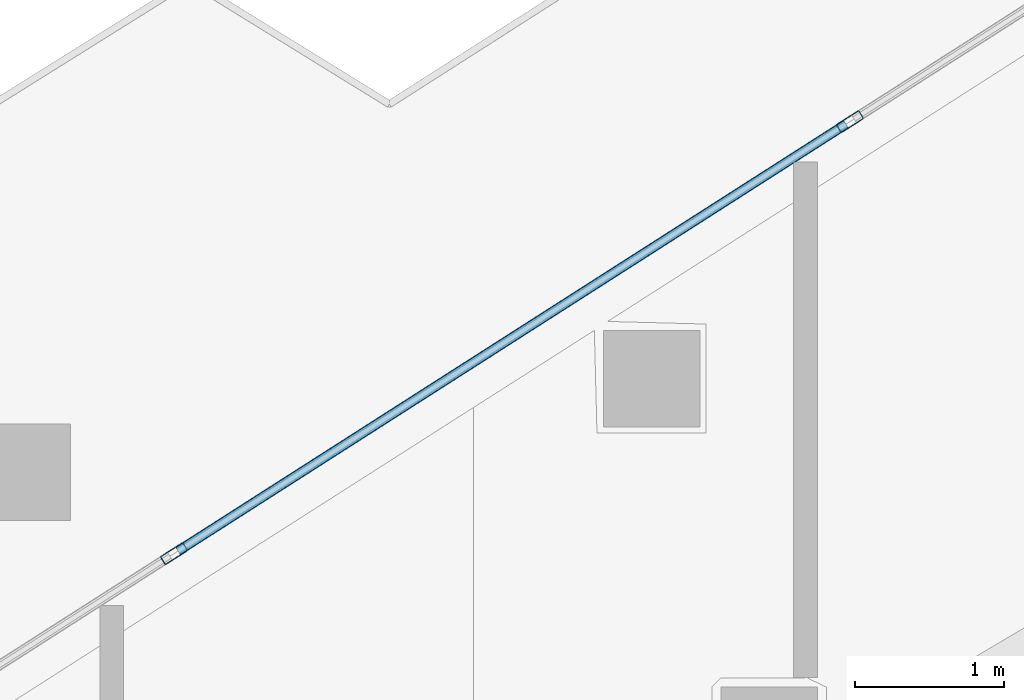
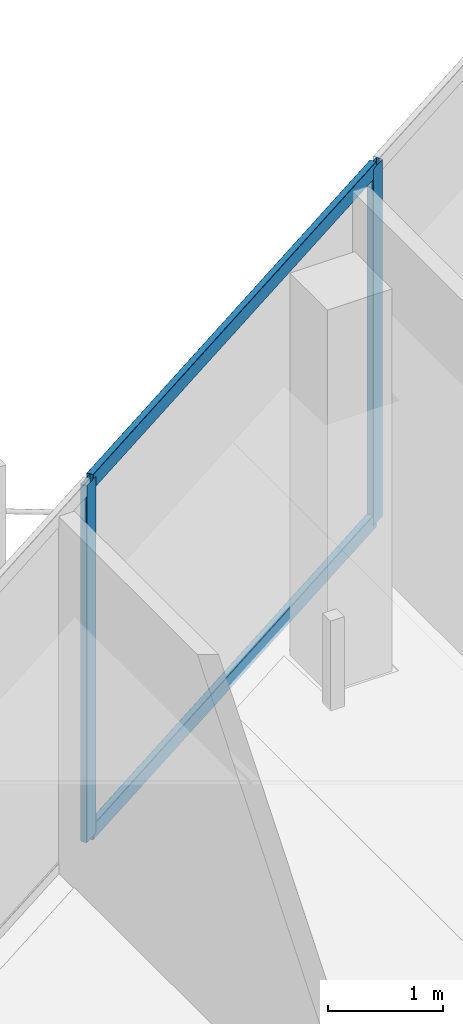
# One storey, part 18 of 39: 4 members, 1 element without a shape of its own.
"""IFC4 building model written with IfcOpenShell, lengths in metres."""

from ifc_helpers import new_model, si_unit, direction, frame, origin, origin_2d, place, context, subcontext, project, spatial, hollow_rectangle, extrude, material, layer, layer_set, material_profile, profile_set, type_object, element, aggregate, save


model = new_model("IFC4")

# Units and contexts
model_context = context("Model", 3, precision=1e-05, world=origin(), true_north=direction((0.0, 1.0)))
body_context = subcontext(model_context, "Body", "Model", "MODEL_VIEW")
ifc_project = project(units=[si_unit("LENGTHUNIT", "METRE"), si_unit("AREAUNIT", "SQUARE_METRE"), si_unit("VOLUMEUNIT", "CUBIC_METRE"), si_unit("PLANEANGLEUNIT", "RADIAN"), si_unit("MASSUNIT", "GRAM", prefix="KILO")], contexts=[model_context])

# Site, building, storey
site_placement = place(None, origin())
site = spatial("IfcSite", under=ifc_project, at=site_placement, CompositionType="ELEMENT")
building_placement = place(site_placement, origin())
building = spatial("IfcBuilding", under=site, at=building_placement, Name="Qorvath Tower", CompositionType="ELEMENT")
storey_placement = place(building_placement, frame((0.0, 0.0, 142.199951171875)))
storey = spatial("IfcBuildingStorey", under=building, at=storey_placement, Name="L32", CompositionType="ELEMENT", Elevation=142.199951171875)

# Curtain wall, members
ifc_material_1 = material(Name="Anodised aluminium and triple low-E glass", Category="aluminium")
ifc_layer = layer(ifc_material_1, 0.179931640625)
ifc_layer_set = layer_set([ifc_layer], Name="CW-SYS-3")
curtain_wall_type = type_object("IfcCurtainWallType", Name="CW-SYS-3", PredefinedType="NOTDEFINED", material=ifc_layer_set)
curtain_wall_placement = place(storey_placement, origin())
curtain_wall = element("IfcCurtainWall", 1, at=curtain_wall_placement, inside=storey, type_object=curtain_wall_type, Name="Curtain Wall CW-3 CW-T-L32-16.1", PredefinedType="NOTDEFINED")
ifc_material_2 = material(Name="Anodised aluminium 6063-T6", Category="aluminium")
ifc_material_profile_1 = material_profile(ifc_material_2, hollow_rectangle(XDim=0.06494140625, YDim=0.179931640625, WallThickness=0.00341796875, InnerFilletRadius=0.00341796875, OuterFilletRadius=0.007080078125, at=origin_2d()), Name="CWM 180x65")
ifc_profile_set_1 = profile_set([ifc_material_profile_1], Name="Anodised aluminium 6063-T6")
member_type_1 = type_object("IfcMemberType", Name="CWM-180", PredefinedType="MULLION", material=ifc_profile_set_1)
member_1_placement = place(storey_placement, frame((-29.68017578125, 21.19091796875, 0.0), z_axis=(0.0, 0.0, 1.0), x_axis=(0.53853296968, -0.842604438967, 0.0)))
member_1 = element("IfcMember", 2, at=member_1_placement, type_object=member_type_1, Name="CW-3 mullion 4", PredefinedType="MULLION", context=body_context, shape_type="SweptSolid", body=[
    extrude(hollow_rectangle(XDim=0.06494140625, YDim=0.179931640625, WallThickness=0.00341796875, InnerFilletRadius=0.00341796875, OuterFilletRadius=0.007080078125, at=origin_2d()), origin(), (0.0, 0.0, 1.0), 3.780029296875),
])
member_2_placement = place(storey_placement, frame((-34.23095703125, 18.2822265625, 0.0), z_axis=(0.0, 0.0, 1.0), x_axis=(0.53853296968, -0.842604438967, 0.0)))
member_2 = element("IfcMember", 3, at=member_2_placement, type_object=member_type_1, Name="CW-3 mullion 5", PredefinedType="MULLION", context=body_context, shape_type="SweptSolid", body=[
    extrude(hollow_rectangle(XDim=0.06494140625, YDim=0.179931640625, WallThickness=0.00341796875, InnerFilletRadius=0.00341796875, OuterFilletRadius=0.007080078125, at=origin_2d()), origin(), (0.0, 0.0, 1.0), 3.780029296875),
])
ifc_material_3 = material(Name="Anodised aluminium 6063-T6", Category="aluminium")
ifc_material_profile_2 = material_profile(ifc_material_3, hollow_rectangle(XDim=0.06494140625, YDim=0.159912109375, WallThickness=0.00341796875, InnerFilletRadius=0.00341796875, OuterFilletRadius=0.007080078125, at=origin_2d()), Name="CWT 160x65")
ifc_profile_set_2 = profile_set([ifc_material_profile_2], Name="Anodised aluminium 6063-T6")
member_type_2 = type_object("IfcMemberType", Name="CWT-160", PredefinedType="USERDEFINED", material=ifc_profile_set_2)
member_3_placement = place(storey_placement, frame((-29.70751953125, 21.17333984375, 0.032470703125), z_axis=(-0.842608601225, -0.538526457234, 0.0), x_axis=(0.538526457234, -0.842608601225, 0.0)))
member_3 = element("IfcMember", 4, at=member_3_placement, type_object=member_type_2, Name="CW-3 transom 4.1", ObjectType="TRANSOM", PredefinedType="USERDEFINED", context=body_context, shape_type="SweptSolid", body=[
    extrude(hollow_rectangle(XDim=0.06494140625, YDim=0.159912109375, WallThickness=0.00341796875, InnerFilletRadius=0.00341796875, OuterFilletRadius=0.007080078125, at=origin_2d()), origin(), (0.0, 0.0, 1.0), 5.3359375),
])
member_4_placement = place(storey_placement, frame((-29.70751953125, 21.17333984375, 3.74755859375), z_axis=(-0.842608601225, -0.538526457234, 0.0), x_axis=(0.538526457234, -0.842608601225, 0.0)))
member_4 = element("IfcMember", 5, at=member_4_placement, type_object=member_type_2, Name="CW-3 transom 4.2", ObjectType="TRANSOM", PredefinedType="USERDEFINED", context=body_context, shape_type="SweptSolid", body=[
    extrude(hollow_rectangle(XDim=0.06494140625, YDim=0.159912109375, WallThickness=0.00341796875, InnerFilletRadius=0.00341796875, OuterFilletRadius=0.007080078125, at=origin_2d()), origin(), (0.0, 0.0, 1.0), 5.3359375),
])
aggregate(curtain_wall, [member_1, member_2, member_3, member_4])

save(model, "model.ifc")
